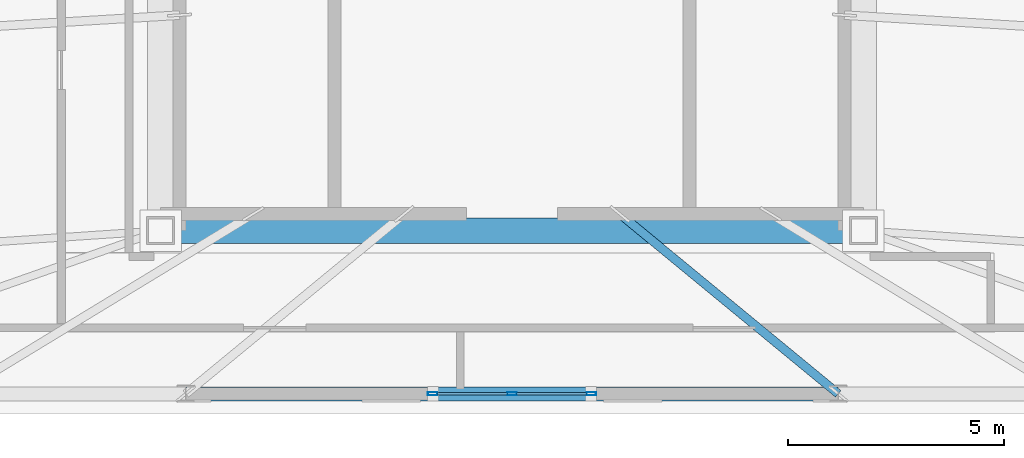
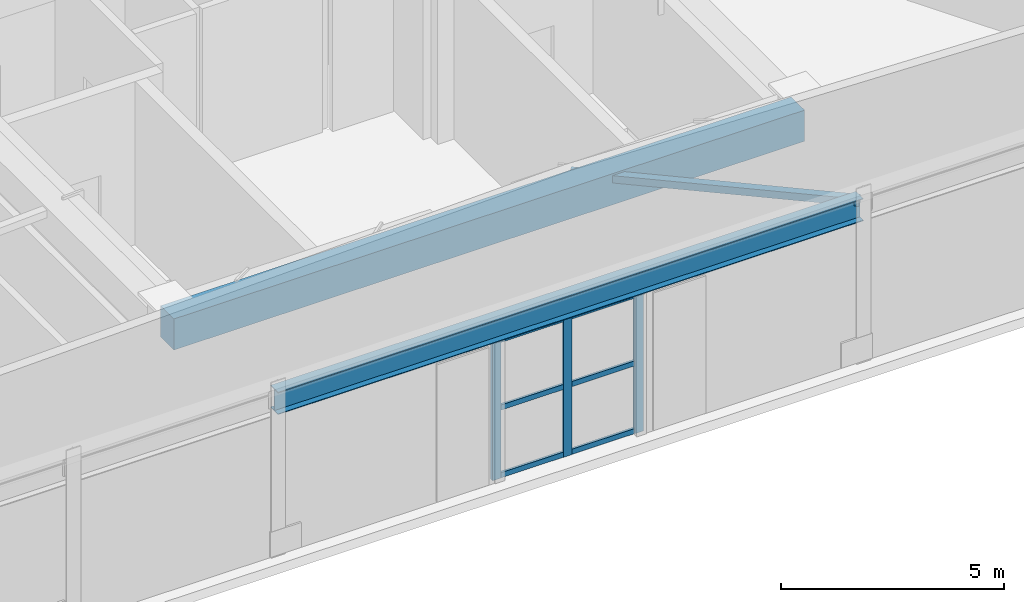
# One storey, part 2 of 11: 10 members, 2 beams, 1 element without a shape of its own.
"""IFC4 building model written with IfcOpenShell, lengths in metres."""

from ifc_helpers import new_model, si_unit, direction, frame, origin, origin_2d, place, context, subcontext, project, spatial, rectangle, hollow_rectangle, i_section, extrude, material, layer, layer_set, material_profile, profile_set, type_object, element, aggregate, save


model = new_model("IFC4")

# Units and contexts
model_context = context("Model", 3, precision=1e-05, world=origin(), true_north=direction((0.0, 1.0)))
body_context = subcontext(model_context, "Body", "Model", "MODEL_VIEW")
ifc_project = project(units=[si_unit("LENGTHUNIT", "METRE"), si_unit("AREAUNIT", "SQUARE_METRE"), si_unit("VOLUMEUNIT", "CUBIC_METRE"), si_unit("PLANEANGLEUNIT", "RADIAN"), si_unit("MASSUNIT", "GRAM", prefix="KILO")], contexts=[model_context])

# Site, building, storey
site_placement = place(None, origin())
site = spatial("IfcSite", under=ifc_project, at=site_placement, CompositionType="ELEMENT")
building_placement = place(site_placement, origin())
building = spatial("IfcBuilding", under=site, at=building_placement, Name="Oramaril Tower", CompositionType="ELEMENT")
storey_placement = place(building_placement, frame((0.0, 0.0, 318.89990234375)))
storey = spatial("IfcBuildingStorey", under=building, at=storey_placement, Name="L83", CompositionType="ELEMENT", Elevation=318.89990234375)

# Beams
ifc_material_1 = material(Name="Concrete C50/60", Category="concrete")
ifc_material_profile_1 = material_profile(ifc_material_1, rectangle(XDim=0.60009765625, YDim=0.85009765625, at=origin_2d()), Name="CB600X850")
ifc_profile_set_1 = profile_set([ifc_material_profile_1], Name="Concrete C50/60")
beam_type_1 = type_object("IfcBeamType", Name="BT-CB2", PredefinedType="BEAM", material=ifc_profile_set_1)
beam_1_placement = place(storey_placement, frame((29.35009765625, 11.0, 4.03515625), z_axis=(1.0, 0.0, 0.0), x_axis=(0.0, 1.0, 0.0)))
element("IfcBeam", 1, at=beam_1_placement, inside=storey, type_object=beam_type_1, Name="L83 Core Header Beam CB-1", PredefinedType="BEAM", context=body_context, shape_type="SweptSolid", body=[
    extrude(rectangle(XDim=0.60009765625, YDim=0.85009765625, at=origin_2d()), origin(), (0.0, 0.0, 1.0), 16.2998046875),
])
ifc_material_2 = material(Name="Steel ASTM A572 Gr 50", Category="steel")
ifc_material_profile_2 = material_profile(ifc_material_2, i_section(OverallWidth=0.324951171875, OverallDepth=0.612060546875, WebThickness=0.0126953125, FlangeThickness=0.01904296875, at=origin_2d()), Name="W24X104")
ifc_profile_set_2 = profile_set([ifc_material_profile_2], Name="Steel ASTM A572 Gr 50")
beam_type_2 = type_object("IfcBeamType", Name="BT-SP5", PredefinedType="SPANDREL", material=ifc_profile_set_2)
beam_2_placement = place(storey_placement, frame((29.9345703125, 7.218994140625, 4.154052734375), z_axis=(1.0, 0.0, 0.0), x_axis=(0.0, 1.0, 0.0)))
element("IfcBeam", 2, at=beam_2_placement, inside=storey, type_object=beam_type_2, Name="L83 Perimeter Spandrel 04", PredefinedType="SPANDREL", context=body_context, shape_type="SweptSolid", body=[
    extrude(i_section(OverallWidth=0.324951171875, OverallDepth=0.612060546875, WebThickness=0.0126953125, FlangeThickness=0.01904296875, at=origin_2d()), origin(), (0.0, 0.0, 1.0), 15.130859375),
])

# Curtain wall, members
ifc_material_3 = material(Name="Anodised Aluminium 6063-T6", Category="aluminium")
ifc_layer = layer(ifc_material_3, 0.219970703125)
ifc_layer_set = layer_set([ifc_layer], Name="CWT-SYS6")
curtain_wall_type = type_object("IfcCurtainWallType", Name="CWT-SYS6", PredefinedType="NOTDEFINED", material=ifc_layer_set)
curtain_wall_placement = place(storey_placement, origin())
curtain_wall = element("IfcCurtainWall", 3, at=curtain_wall_placement, inside=storey, type_object=curtain_wall_type, Name="L83 Unitised Curtain Wall CW-6", PredefinedType="NOTDEFINED")
ifc_material_4 = material(Name="Anodised Aluminium 6063-T6", Category="aluminium")
ifc_material_profile_3 = material_profile(ifc_material_4, hollow_rectangle(XDim=0.080078125, YDim=0.219970703125, WallThickness=0.00390625, at=origin_2d()), Name="CWM220X80")
ifc_profile_set_3 = profile_set([ifc_material_profile_3], Name="Anodised Aluminium 6063-T6")
member_type_1 = type_object("IfcMemberType", Name="MT-CWM1", PredefinedType="MULLION", material=ifc_profile_set_3)
member_1_placement = place(storey_placement, frame((35.659912109375, 7.218994140625, 0.0), z_axis=(0.0, 0.0, 1.0), x_axis=(0.0, 1.0, 0.0)))
member_1 = element("IfcMember", 4, at=member_1_placement, type_object=member_type_1, Name="CW-6 mullion 1", PredefinedType="MULLION", context=body_context, shape_type="SweptSolid", body=[
    extrude(hollow_rectangle(XDim=0.080078125, YDim=0.219970703125, WallThickness=0.00390625, at=origin_2d()), origin(), (0.0, 0.0, 1.0), 3.838134765625),
])
member_2_placement = place(storey_placement, frame((37.5, 7.218994140625, 0.0), z_axis=(0.0, 0.0, 1.0), x_axis=(0.0, 1.0, 0.0)))
member_2 = element("IfcMember", 5, at=member_2_placement, type_object=member_type_1, Name="CW-6 mullion 2", PredefinedType="MULLION", context=body_context, shape_type="SweptSolid", body=[
    extrude(hollow_rectangle(XDim=0.080078125, YDim=0.219970703125, WallThickness=0.00390625, at=origin_2d()), origin(), (0.0, 0.0, 1.0), 3.838134765625),
])
member_3_placement = place(storey_placement, frame((39.340087890625, 7.218994140625, 0.0), z_axis=(0.0, 0.0, 1.0), x_axis=(0.0, 1.0, 0.0)))
member_3 = element("IfcMember", 6, at=member_3_placement, type_object=member_type_1, Name="CW-6 mullion 3", PredefinedType="MULLION", context=body_context, shape_type="SweptSolid", body=[
    extrude(hollow_rectangle(XDim=0.080078125, YDim=0.219970703125, WallThickness=0.00390625, at=origin_2d()), origin(), (0.0, 0.0, 1.0), 3.838134765625),
])
ifc_material_5 = material(Name="Anodised Aluminium 6063-T6", Category="aluminium")
ifc_material_profile_4 = material_profile(ifc_material_5, hollow_rectangle(XDim=0.06494140625, YDim=0.139892578125, WallThickness=0.00390625, at=origin_2d()), Name="CWT140X65")
ifc_profile_set_4 = profile_set([ifc_material_profile_4], Name="Anodised Aluminium 6063-T6")
member_type_2 = type_object("IfcMemberType", Name="MT-CWT2", PredefinedType="USERDEFINED", material=ifc_profile_set_4)
member_4_placement = place(storey_placement, frame((35.77001953125, 7.218994140625, 0.070068359375), z_axis=(1.0, 0.0, 0.0), x_axis=(0.0, 1.0, 0.0)))
member_4 = element("IfcMember", 7, at=member_4_placement, type_object=member_type_2, Name="CW-6 transom 1.1", ObjectType="TRANSOM", PredefinedType="USERDEFINED", context=body_context, shape_type="SweptSolid", body=[
    extrude(hollow_rectangle(XDim=0.06494140625, YDim=0.139892578125, WallThickness=0.00390625, at=origin_2d()), origin(), (0.0, 0.0, 1.0), 1.619873046875),
])
member_5_placement = place(storey_placement, frame((35.77001953125, 7.218994140625, 1.919189453125), z_axis=(1.0, 0.0, 0.0), x_axis=(0.0, 1.0, 0.0)))
member_5 = element("IfcMember", 8, at=member_5_placement, type_object=member_type_2, Name="CW-6 transom 1.2", ObjectType="TRANSOM", PredefinedType="USERDEFINED", context=body_context, shape_type="SweptSolid", body=[
    extrude(hollow_rectangle(XDim=0.06494140625, YDim=0.139892578125, WallThickness=0.00390625, at=origin_2d()), origin(), (0.0, 0.0, 1.0), 1.619873046875),
])
member_6_placement = place(storey_placement, frame((35.77001953125, 7.218994140625, 3.76806640625), z_axis=(1.0, 0.0, 0.0), x_axis=(0.0, 1.0, 0.0)))
member_6 = element("IfcMember", 9, at=member_6_placement, type_object=member_type_2, Name="CW-6 transom 1.3", ObjectType="TRANSOM", PredefinedType="USERDEFINED", context=body_context, shape_type="SweptSolid", body=[
    extrude(hollow_rectangle(XDim=0.06494140625, YDim=0.139892578125, WallThickness=0.00390625, at=origin_2d()), origin(), (0.0, 0.0, 1.0), 1.619873046875),
])
member_7_placement = place(storey_placement, frame((37.610107421875, 7.218994140625, 0.070068359375), z_axis=(1.0, 0.0, 0.0), x_axis=(0.0, 1.0, 0.0)))
member_7 = element("IfcMember", 10, at=member_7_placement, type_object=member_type_2, Name="CW-6 transom 2.1", ObjectType="TRANSOM", PredefinedType="USERDEFINED", context=body_context, shape_type="SweptSolid", body=[
    extrude(hollow_rectangle(XDim=0.06494140625, YDim=0.139892578125, WallThickness=0.00390625, at=origin_2d()), origin(), (0.0, 0.0, 1.0), 1.619873046875),
])
member_8_placement = place(storey_placement, frame((37.610107421875, 7.218994140625, 1.919189453125), z_axis=(1.0, 0.0, 0.0), x_axis=(0.0, 1.0, 0.0)))
member_8 = element("IfcMember", 11, at=member_8_placement, type_object=member_type_2, Name="CW-6 transom 2.2", ObjectType="TRANSOM", PredefinedType="USERDEFINED", context=body_context, shape_type="SweptSolid", body=[
    extrude(hollow_rectangle(XDim=0.06494140625, YDim=0.139892578125, WallThickness=0.00390625, at=origin_2d()), origin(), (0.0, 0.0, 1.0), 1.619873046875),
])
member_9_placement = place(storey_placement, frame((37.610107421875, 7.218994140625, 3.76806640625), z_axis=(1.0, 0.0, 0.0), x_axis=(0.0, 1.0, 0.0)))
member_9 = element("IfcMember", 12, at=member_9_placement, type_object=member_type_2, Name="CW-6 transom 2.3", ObjectType="TRANSOM", PredefinedType="USERDEFINED", context=body_context, shape_type="SweptSolid", body=[
    extrude(hollow_rectangle(XDim=0.06494140625, YDim=0.139892578125, WallThickness=0.00390625, at=origin_2d()), origin(), (0.0, 0.0, 1.0), 1.619873046875),
])
aggregate(curtain_wall, [member_1, member_2, member_3, member_4, member_5, member_6, member_7, member_8, member_9])

# Member
ifc_material_6 = material(Name="Steel ASTM A572 Gr 50", Category="steel")
ifc_material_profile_5 = material_profile(ifc_material_6, hollow_rectangle(XDim=0.199951171875, YDim=0.199951171875, WallThickness=0.010009765625, at=origin_2d()), Name="HSS200X200X10")
ifc_profile_set_5 = profile_set([ifc_material_profile_5], Name="Steel ASTM A572 Gr 50")
member_type_3 = type_object("IfcMemberType", Name="MT-RF1", PredefinedType="RAFTER", material=ifc_profile_set_5)
member_10_placement = place(storey_placement, frame((45.0654296875, 7.218994140625, 4.31005859375), z_axis=(-0.771977490617, 0.635649867443, 0.0), x_axis=(-0.635649867443, -0.771977490617, 0.0)))
element("IfcMember", 13, at=member_10_placement, inside=storey, type_object=member_type_3, Name="L83 Crown Roof Rafter RF-03", PredefinedType="RAFTER", context=body_context, shape_type="SweptSolid", body=[
    extrude(hollow_rectangle(XDim=0.199951171875, YDim=0.199951171875, WallThickness=0.010009765625, at=origin_2d()), origin(), (0.0, 0.0, 1.0), 6.5615234375),
])

save(model, "model.ifc")
